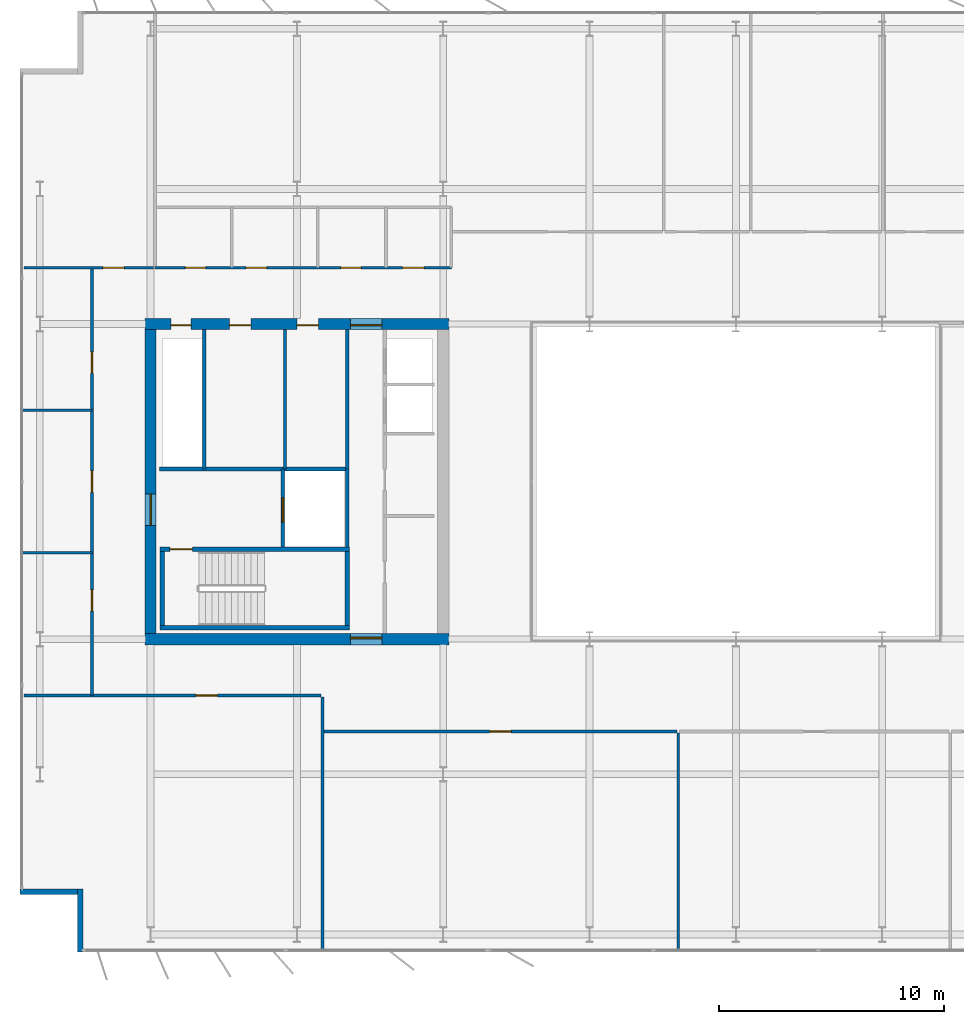
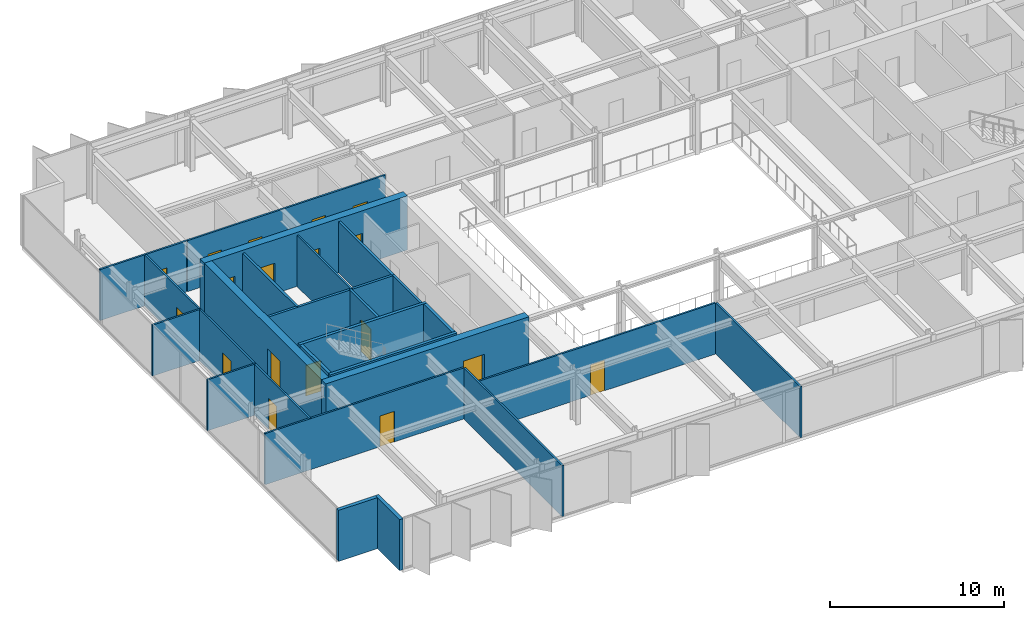
# One storey, part 12 of 19: 26 walls, 18 doors, 18 openings.
"""IFC4 building model written with IfcOpenShell, lengths in metres."""

from ifc_helpers import new_model, si_unit, direction, frame, frame_2d, origin, place, context, subcontext, project, spatial, rectangle, extrude, material, layer, layer_set, type_object, element, fill, save


model = new_model("IFC4")

# Units and contexts
model_context = context("Model", 3, precision=1e-05, world=origin(), true_north=direction((0.0, 1.0)))
body_context = subcontext(model_context, "Body", "Model", "MODEL_VIEW")
ifc_project = project(units=[si_unit("LENGTHUNIT", "METRE"), si_unit("AREAUNIT", "SQUARE_METRE"), si_unit("VOLUMEUNIT", "CUBIC_METRE"), si_unit("PLANEANGLEUNIT", "RADIAN"), si_unit("MASSUNIT", "GRAM", prefix="KILO")], contexts=[model_context])

# Site, building, storey
site_placement = place(None, origin())
site = spatial("IfcSite", under=ifc_project, at=site_placement, CompositionType="ELEMENT")
building_placement = place(site_placement, origin())
building = spatial("IfcBuilding", under=site, at=building_placement, Name="Putna Gate Headquarters", CompositionType="ELEMENT")
storey_placement = place(building_placement, frame((0.0, 0.0, 263.199951171875)))
storey = spatial("IfcBuildingStorey", under=building, at=storey_placement, Name="L66", CompositionType="ELEMENT", Elevation=263.199951171875)

# Wall, opening, door
ifc_material_1 = material(Name="Concrete C50/60", Category="concrete")
ifc_layer_1 = layer(ifc_material_1, 0.5)
ifc_layer_set_1 = layer_set([ifc_layer_1], Name="Concrete C50/60")
wall_type_1 = type_object("IfcWallType", Name="WALL-CORE-500", PredefinedType="SHEAR", material=ifc_layer_set_1)
wall_1_placement = place(storey_placement, frame((12.75, 19.0, 0.0), z_axis=(0.0, 0.0, 1.0), x_axis=(1.0, 0.0, 0.0)))
wall_1 = element("IfcWall", 1, at=wall_1_placement, inside=storey, type_object=wall_type_1, Name="L66 WC Split Core Shear Wall S", PredefinedType="SHEAR", context=body_context, shape_type="SweptSolid", body=[
    extrude(rectangle(XDim=13.5, YDim=0.5, at=frame_2d((6.75, 0.0))), origin(), (0.0, 0.0, 1.0), 3.800048828125),
])
opening_1_placement = place(wall_1_placement, frame((9.1298828125, 0.0, 0.0)))
opening_1 = element("IfcOpeningElement", 2, at=opening_1_placement, cuts=wall_1, Name="Opening FDD-140", PredefinedType="OPENING", context=body_context, shape_type="SweptSolid", body=[
    extrude(rectangle(XDim=1.39990234375, YDim=2.199951171875, at=frame_2d((0.699951171875, 1.10009765625))), frame((0.0, 0.260009765625, 0.0), z_axis=(0.0, -1.0, 0.0), x_axis=(1.0, 0.0, 0.0)), (0.0, 0.0, 1.0), 0.52001953125),
])
ifc_material_2 = material(Name="Double steel fire door", Category="steel")
door_type_1 = type_object("IfcDoorType", Name="DOOR-FIRE-DBL-1400", OperationType="DOUBLE_DOOR_SINGLE_SWING", PredefinedType="DOOR", material=ifc_material_2)
door_1_placement = place(opening_1_placement, origin())
door_1 = element("IfcDoor", 3, at=door_1_placement, inside=storey, type_object=door_type_1, Name="L66 West Lift Lobby South Door", OperationType="DOUBLE_DOOR_SINGLE_SWING", OverallHeight=2.199951171875, OverallWidth=1.39990234375, PredefinedType="DOOR", context=body_context, shape_type="SweptSolid", body=[
    extrude(rectangle(XDim=1.39990234375, YDim=2.199951171875, at=frame_2d((0.699951171875, 1.10009765625))), frame((0.0, 0.0751953125, 0.0), z_axis=(0.0, -1.0, 0.0), x_axis=(1.0, 0.0, 0.0)), (0.0, 0.0, 1.0), 0.050048828125),
])
fill(opening_1, door_1)

# Wall, openings, doors
wall_2_placement = place(storey_placement, frame((12.75, 33.0, 0.0), z_axis=(0.0, 0.0, 1.0), x_axis=(1.0, 0.0, 0.0)))
wall_2 = element("IfcWall", 4, at=wall_2_placement, inside=storey, type_object=wall_type_1, Name="L66 WC Split Core Shear Wall N", PredefinedType="SHEAR", context=body_context, shape_type="SweptSolid", body=[
    extrude(rectangle(XDim=13.5, YDim=0.5, at=frame_2d((6.75, 0.0))), origin(), (0.0, 0.0, 1.0), 3.800048828125),
])
opening_2_placement = place(wall_2_placement, frame((1.14990234375, 0.0, 0.0)))
opening_2 = element("IfcOpeningElement", 5, at=opening_2_placement, cuts=wall_2, Name="Opening RD-90", PredefinedType="OPENING", context=body_context, shape_type="SweptSolid", body=[
    extrude(rectangle(XDim=0.89990234375, YDim=2.14990234375, at=frame_2d((0.449951171875, 1.074951171875))), frame((0.0, 0.260009765625, 0.0), z_axis=(0.0, -1.0, 0.0), x_axis=(1.0, 0.0, 0.0)), (0.0, 0.0, 1.0), 0.52001953125),
])
opening_3_placement = place(wall_2_placement, frame((3.75, 0.0, 0.0)))
opening_3 = element("IfcOpeningElement", 6, at=opening_3_placement, cuts=wall_2, Name="Opening IDS-95", PredefinedType="OPENING", context=body_context, shape_type="SweptSolid", body=[
    extrude(rectangle(XDim=0.949951171875, YDim=2.14990234375, at=frame_2d((0.47509765625, 1.074951171875))), frame((0.0, 0.260009765625, 0.0), z_axis=(0.0, -1.0, 0.0), x_axis=(1.0, 0.0, 0.0)), (0.0, 0.0, 1.0), 0.52001953125),
])
opening_4_placement = place(wall_2_placement, frame((6.75, 0.0, 0.0)))
opening_4 = element("IfcOpeningElement", 7, at=opening_4_placement, cuts=wall_2, Name="Opening IDS-95", PredefinedType="OPENING", context=body_context, shape_type="SweptSolid", body=[
    extrude(rectangle(XDim=0.949951171875, YDim=2.14990234375, at=frame_2d((0.47509765625, 1.074951171875))), frame((0.0, 0.260009765625, 0.0), z_axis=(0.0, -1.0, 0.0), x_axis=(1.0, 0.0, 0.0)), (0.0, 0.0, 1.0), 0.52001953125),
])
opening_5_placement = place(wall_2_placement, frame((9.1298828125, 0.0, 0.0)))
opening_5 = element("IfcOpeningElement", 8, at=opening_5_placement, cuts=wall_2, Name="Opening FDD-140", PredefinedType="OPENING", context=body_context, shape_type="SweptSolid", body=[
    extrude(rectangle(XDim=1.39990234375, YDim=2.199951171875, at=frame_2d((0.699951171875, 1.10009765625))), frame((0.0, 0.260009765625, 0.0), z_axis=(0.0, -1.0, 0.0), x_axis=(1.0, 0.0, 0.0)), (0.0, 0.0, 1.0), 0.52001953125),
])
door_2_placement = place(opening_5_placement, origin())
door_2 = element("IfcDoor", 9, at=door_2_placement, inside=storey, type_object=door_type_1, Name="L66 West Lift Lobby North Door", OperationType="DOUBLE_DOOR_SINGLE_SWING", OverallHeight=2.199951171875, OverallWidth=1.39990234375, PredefinedType="DOOR", context=body_context, shape_type="SweptSolid", body=[
    extrude(rectangle(XDim=1.39990234375, YDim=2.199951171875, at=frame_2d((0.699951171875, 1.10009765625))), frame((0.0, -0.02490234375, 0.0), z_axis=(0.0, -1.0, 0.0), x_axis=(1.0, 0.0, 0.0)), (0.0, 0.0, 1.0), 0.050048828125),
])
fill(opening_5, door_2)
ifc_material_3 = material(Name="Fire-rated service timber door", Category="wood")
door_type_2 = type_object("IfcDoorType", Name="DOOR-INT-950", OperationType="NOTDEFINED", PredefinedType="DOOR", material=ifc_material_3)
door_3_placement = place(opening_3_placement, origin())
door_3 = element("IfcDoor", 10, at=door_3_placement, inside=storey, type_object=door_type_2, Name="L66 Cleaner Store Door", OperationType="SINGLE_SWING_LEFT", OverallHeight=2.14990234375, OverallWidth=0.949951171875, PredefinedType="DOOR", context=body_context, shape_type="SweptSolid", body=[
    extrude(rectangle(XDim=0.949951171875, YDim=2.14990234375, at=frame_2d((0.47509765625, 1.074951171875))), frame((0.0, -0.02490234375, 0.0), z_axis=(0.0, -1.0, 0.0), x_axis=(1.0, 0.0, 0.0)), (0.0, 0.0, 1.0), 0.050048828125),
])
fill(opening_3, door_3)
door_4_placement = place(opening_4_placement, origin())
door_4 = element("IfcDoor", 11, at=door_4_placement, inside=storey, type_object=door_type_2, Name="L66 Comms Plant Door", OperationType="SINGLE_SWING_RIGHT", OverallHeight=2.14990234375, OverallWidth=0.949951171875, PredefinedType="DOOR", context=body_context, shape_type="SweptSolid", body=[
    extrude(rectangle(XDim=0.949951171875, YDim=2.14990234375, at=frame_2d((0.47509765625, 1.074951171875))), frame((0.0, -0.02490234375, 0.0), z_axis=(0.0, -1.0, 0.0), x_axis=(1.0, 0.0, 0.0)), (0.0, 0.0, 1.0), 0.050048828125),
])
fill(opening_4, door_4)
ifc_material_4 = material(Name="Steel riser access fire door", Category="steel")
door_type_3 = type_object("IfcDoorType", Name="DOOR-RISER-900", OperationType="NOTDEFINED", PredefinedType="DOOR", material=ifc_material_4)
door_5_placement = place(opening_2_placement, origin())
door_5 = element("IfcDoor", 12, at=door_5_placement, inside=storey, type_object=door_type_3, Name="L66 West Riser Access Door", OperationType="SINGLE_SWING_RIGHT", OverallHeight=2.14990234375, OverallWidth=0.89990234375, PredefinedType="DOOR", context=body_context, shape_type="SweptSolid", body=[
    extrude(rectangle(XDim=0.89990234375, YDim=2.14990234375, at=frame_2d((0.449951171875, 1.074951171875))), frame((0.0, -0.02490234375, 0.0), z_axis=(0.0, -1.0, 0.0), x_axis=(1.0, 0.0, 0.0)), (0.0, 0.0, 1.0), 0.050048828125),
])
fill(opening_2, door_5)

# Wall, opening, door
wall_3_placement = place(storey_placement, frame((13.0, 19.25, 0.0), z_axis=(0.0, 0.0, 1.0), x_axis=(0.0, 1.0, 0.0)))
wall_3 = element("IfcWall", 13, at=wall_3_placement, inside=storey, type_object=wall_type_1, Name="L66 WC Split Core Shear Wall W", PredefinedType="SHEAR", context=body_context, shape_type="SweptSolid", body=[
    extrude(rectangle(XDim=13.5, YDim=0.5, at=frame_2d((6.75, 0.0))), origin(), (0.0, 0.0, 1.0), 3.800048828125),
])
opening_6_placement = place(wall_3_placement, frame((4.800048828125, 0.0, 0.0)))
opening_6 = element("IfcOpeningElement", 14, at=opening_6_placement, cuts=wall_3, Name="Opening FDD-140", PredefinedType="OPENING", context=body_context, shape_type="SweptSolid", body=[
    extrude(rectangle(XDim=1.39990234375, YDim=2.199951171875, at=frame_2d((0.699951171875, 1.10009765625))), frame((0.0, 0.260009765625, 0.0), z_axis=(0.0, -1.0, 0.0), x_axis=(1.0, 0.0, 0.0)), (0.0, 0.0, 1.0), 0.52001953125),
])
door_6_placement = place(opening_6_placement, origin())
door_6 = element("IfcDoor", 15, at=door_6_placement, inside=storey, type_object=door_type_1, Name="L66 West Firefighting Lobby Door", OperationType="DOUBLE_DOOR_SINGLE_SWING", OverallHeight=2.199951171875, OverallWidth=1.39990234375, PredefinedType="DOOR", context=body_context, shape_type="SweptSolid", body=[
    extrude(rectangle(XDim=1.39990234375, YDim=2.199951171875, at=frame_2d((0.699951171875, 1.10009765625))), frame((0.0, 0.02490234375, 0.0), z_axis=(0.0, -1.0, 0.0), x_axis=(1.0, 0.0, 0.0)), (0.0, 0.0, 1.0), 0.050048828125),
])
fill(opening_6, door_6)

# Walls
ifc_material_5 = material(Name="Precast concrete C40/50", Category="concrete")
ifc_layer_2 = layer(ifc_material_5, 0.239990234375)
ifc_layer_set_2 = layer_set([ifc_layer_2], Name="Precast concrete C40/50")
wall_type_2 = type_object("IfcWallType", Name="WALL-EXT-TERR-240", PredefinedType="STANDARD", material=ifc_layer_set_2)
wall_4_placement = place(storey_placement, frame((9.8798828125, 5.10009765625, 0.0), z_axis=(0.0, 0.0, 1.0), x_axis=(0.0, 1.0, 0.0)))
element("IfcWall", 16, at=wall_4_placement, inside=storey, type_object=wall_type_2, Name="L66 Corner Notch Return Wall SW-V", PredefinedType="STANDARD", context=body_context, shape_type="SweptSolid", body=[
    extrude(rectangle(XDim=2.7998046875, YDim=0.239990234375, at=frame_2d((1.39990234375, 0.0))), origin(), (0.0, 0.0, 1.0), 3.588134765625),
])
wall_5_placement = place(storey_placement, frame((10.0, 7.780029296875, 0.0), z_axis=(0.0, 0.0, 1.0), x_axis=(-1.0, 0.0, 0.0)))
element("IfcWall", 17, at=wall_5_placement, inside=storey, type_object=wall_type_2, Name="L66 Corner Notch Return Wall SW-H", PredefinedType="STANDARD", context=body_context, shape_type="SweptSolid", body=[
    extrude(rectangle(XDim=2.800048828125, YDim=0.239990234375, at=frame_2d((1.39990234375, 0.0))), origin(), (0.0, 0.0, 1.0), 3.588134765625),
])
ifc_material_6 = material(Name="Acoustic gypsum board on metal stud")
ifc_layer_3 = layer(ifc_material_6, 0.1201171875)
ifc_layer_set_3 = layer_set([ifc_layer_3], Name="Acoustic gypsum board on metal stud")
wall_type_3 = type_object("IfcWallType", Name="WALL-PART-120", PredefinedType="PARTITIONING", material=ifc_layer_set_3)
wall_6_placement = place(storey_placement, frame((20.63671875, 5.1201171875, 0.0), z_axis=(0.0, 0.0, 1.0), x_axis=(0.0, 1.0, 0.0)))
element("IfcWall", 18, at=wall_6_placement, inside=storey, type_object=wall_type_3, Name="L66 Interior Wall PART-L66-SB-DIV-01", PredefinedType="PARTITIONING", context=body_context, shape_type="SweptSolid", body=[
    extrude(rectangle(XDim=11.31982421875, YDim=0.1201171875, at=frame_2d((5.659912109375, 0.0))), origin(), (0.0, 0.0, 1.0), 3.588134765625),
])
wall_7_placement = place(storey_placement, frame((36.443115234375, 5.1201171875, 0.0), z_axis=(0.0, 0.0, 1.0), x_axis=(0.0, 1.0, 0.0)))
element("IfcWall", 19, at=wall_7_placement, inside=storey, type_object=wall_type_3, Name="L66 Interior Wall PART-L66-SB-DIV-02", PredefinedType="PARTITIONING", context=body_context, shape_type="SweptSolid", body=[
    extrude(rectangle(XDim=9.719970703125, YDim=0.1201171875, at=frame_2d((4.85986328125, 0.0))), origin(), (0.0, 0.0, 1.0), 3.588134765625),
])
for number, where, z_axis, x_axis, name in (
    (20, (7.219970703125, 22.833251953125, 0.0), (0.0, 0.0, 1.0), (1.0, 0.0, 0.0), "L66 Interior Wall PART-L66-WW-DIV-1"),
    (21, (7.219970703125, 29.166748046875, 0.0), (0.0, 0.0, 1.0), (1.0, 0.0, 0.0), "L66 Interior Wall PART-L66-WW-DIV-2"),
):
    element("IfcWall", number, at=place(storey_placement, frame(where, z_axis=z_axis, x_axis=x_axis)), inside=storey, type_object=wall_type_3, Name=name, PredefinedType="PARTITIONING", context=body_context, shape_type="SweptSolid", body=[
        extrude(rectangle(XDim=3.179931640625, YDim=0.1201171875, at=frame_2d((1.58984375, 0.0))), origin(), (0.0, 0.0, 1.0), 3.588134765625),
    ])
ifc_material_7 = material(Name="Fire-rated gypsum board on metal stud")
ifc_layer_4 = layer(ifc_material_7, 0.1201171875)
ifc_layer_set_4 = layer_set([ifc_layer_4], Name="Fire-rated gypsum board on metal stud")
wall_type_4 = type_object("IfcWallType", Name="WALL-PART-120-RATED", PredefinedType="PARTITIONING", material=ifc_layer_set_4)
wall_8_placement = place(storey_placement, frame((18.969970703125, 26.56005859375, 0.0), z_axis=(0.0, 0.0, 1.0), x_axis=(0.0, 1.0, 0.0)))
element("IfcWall", 22, at=wall_8_placement, inside=storey, type_object=wall_type_4, Name="L66 Interior Wall CWINT-L66-WC-K0-DIV", PredefinedType="PARTITIONING", context=body_context, shape_type="SweptSolid", body=[
    extrude(rectangle(XDim=6.18994140625, YDim=0.1201171875, at=frame_2d((3.094970703125, 0.0))), origin(), (0.0, 0.0, 1.0), 3.588134765625),
])

# Wall, openings, doors
wall_9_placement = place(storey_placement, frame((13.199951171875, 35.5, 0.0), z_axis=(0.0, 0.0, 1.0), x_axis=(1.0, 0.0, 0.0)))
wall_9 = element("IfcWall", 23, at=wall_9_placement, inside=storey, type_object=wall_type_4, Name="L66 Interior Wall PART-L66-SAN-CW", PredefinedType="PARTITIONING", context=body_context, shape_type="SweptSolid", body=[
    extrude(rectangle(XDim=13.16015625, YDim=0.1201171875, at=frame_2d((6.580078125, 0.0))), origin(), (0.0, 0.0, 1.0), 3.588134765625),
])
opening_7_placement = place(wall_9_placement, frame((1.35009765625, 0.0, 0.0)))
opening_7 = element("IfcOpeningElement", 24, at=opening_7_placement, cuts=wall_9, Name="Opening FD-90", PredefinedType="OPENING", context=body_context, shape_type="SweptSolid", body=[
    extrude(rectangle(XDim=0.89990234375, YDim=2.14990234375, at=frame_2d((0.449951171875, 1.074951171875))), frame((0.0, 0.070068359375, 0.0), z_axis=(0.0, -1.0, 0.0), x_axis=(1.0, 0.0, 0.0)), (0.0, 0.0, 1.0), 0.14013671875),
])
opening_8_placement = place(wall_9_placement, frame((4.050048828125, 0.0, 0.0)))
opening_8 = element("IfcOpeningElement", 25, at=opening_8_placement, cuts=wall_9, Name="Opening FD-90", PredefinedType="OPENING", context=body_context, shape_type="SweptSolid", body=[
    extrude(rectangle(XDim=0.89990234375, YDim=2.14990234375, at=frame_2d((0.449951171875, 1.074951171875))), frame((0.0, 0.070068359375, 0.0), z_axis=(0.0, -1.0, 0.0), x_axis=(1.0, 0.0, 0.0)), (0.0, 0.0, 1.0), 0.14013671875),
])
opening_9_placement = place(wall_9_placement, frame((8.25, 0.0, 0.0)))
opening_9 = element("IfcOpeningElement", 26, at=opening_9_placement, cuts=wall_9, Name="Opening FD-90", PredefinedType="OPENING", context=body_context, shape_type="SweptSolid", body=[
    extrude(rectangle(XDim=0.89990234375, YDim=2.14990234375, at=frame_2d((0.449951171875, 1.074951171875))), frame((0.0, 0.070068359375, 0.0), z_axis=(0.0, -1.0, 0.0), x_axis=(1.0, 0.0, 0.0)), (0.0, 0.0, 1.0), 0.14013671875),
])
opening_10_placement = place(wall_9_placement, frame((11.0, 0.0, 0.0)))
opening_10 = element("IfcOpeningElement", 27, at=opening_10_placement, cuts=wall_9, Name="Opening FD-95", PredefinedType="OPENING", context=body_context, shape_type="SweptSolid", body=[
    extrude(rectangle(XDim=0.949951171875, YDim=2.14990234375, at=frame_2d((0.47509765625, 1.074951171875))), frame((0.0, 0.070068359375, 0.0), z_axis=(0.0, -1.0, 0.0), x_axis=(1.0, 0.0, 0.0)), (0.0, 0.0, 1.0), 0.14013671875),
])
ifc_material_8 = material(Name="Acoustic washroom fire door")
door_type_4 = type_object("IfcDoorType", Name="DOOR-FIRE-900", OperationType="NOTDEFINED", PredefinedType="DOOR", material=ifc_material_8)
door_7_placement = place(opening_7_placement, origin())
door_7 = element("IfcDoor", 28, at=door_7_placement, inside=storey, type_object=door_type_4, Name="L66 Washroom Male Door", OperationType="SINGLE_SWING_RIGHT", OverallHeight=2.14990234375, OverallWidth=0.89990234375, PredefinedType="DOOR", context=body_context, shape_type="SweptSolid", body=[
    extrude(rectangle(XDim=0.89990234375, YDim=2.14990234375, at=frame_2d((0.449951171875, 1.074951171875))), frame((0.0, 0.02490234375, 0.0), z_axis=(0.0, -1.0, 0.0), x_axis=(1.0, 0.0, 0.0)), (0.0, 0.0, 1.0), 0.050048828125),
])
fill(opening_7, door_7)
door_8_placement = place(opening_8_placement, origin())
door_8 = element("IfcDoor", 29, at=door_8_placement, inside=storey, type_object=door_type_4, Name="L66 Washroom Female Door", OperationType="SINGLE_SWING_LEFT", OverallHeight=2.14990234375, OverallWidth=0.89990234375, PredefinedType="DOOR", context=body_context, shape_type="SweptSolid", body=[
    extrude(rectangle(XDim=0.89990234375, YDim=2.14990234375, at=frame_2d((0.449951171875, 1.074951171875))), frame((0.0, 0.02490234375, 0.0), z_axis=(0.0, -1.0, 0.0), x_axis=(1.0, 0.0, 0.0)), (0.0, 0.0, 1.0), 0.050048828125),
])
fill(opening_8, door_8)
door_9_placement = place(opening_9_placement, origin())
door_9 = element("IfcDoor", 30, at=door_9_placement, inside=storey, type_object=door_type_4, Name="L66 Accessible WC Door", OperationType="SINGLE_SWING_RIGHT", OverallHeight=2.14990234375, OverallWidth=0.89990234375, PredefinedType="DOOR", context=body_context, shape_type="SweptSolid", body=[
    extrude(rectangle(XDim=0.89990234375, YDim=2.14990234375, at=frame_2d((0.449951171875, 1.074951171875))), frame((0.0, 0.02490234375, 0.0), z_axis=(0.0, -1.0, 0.0), x_axis=(1.0, 0.0, 0.0)), (0.0, 0.0, 1.0), 0.050048828125),
])
fill(opening_9, door_9)
ifc_material_9 = material(Name="Acoustic timber fire door", Category="wood")
door_type_5 = type_object("IfcDoorType", Name="DOOR-FIRE-950", OperationType="NOTDEFINED", PredefinedType="DOOR", material=ifc_material_9)
door_10_placement = place(opening_10_placement, origin())
door_10 = element("IfcDoor", 31, at=door_10_placement, inside=storey, type_object=door_type_5, Name="L66 Staff Pantry and Tea Point Door", OperationType="SINGLE_SWING_LEFT", OverallHeight=2.14990234375, OverallWidth=0.949951171875, PredefinedType="DOOR", context=body_context, shape_type="SweptSolid", body=[
    extrude(rectangle(XDim=0.949951171875, YDim=2.14990234375, at=frame_2d((0.47509765625, 1.074951171875))), frame((0.0, 0.02490234375, 0.0), z_axis=(0.0, -1.0, 0.0), x_axis=(1.0, 0.0, 0.0)), (0.0, 0.0, 1.0), 0.050048828125),
])
fill(opening_10, door_10)

# Wall, opening, door
wall_10_placement = place(storey_placement, frame((7.3798828125, 35.5, 0.0), z_axis=(0.0, 0.0, 1.0), x_axis=(1.0, 0.0, 0.0)))
wall_10 = element("IfcWall", 32, at=wall_10_placement, inside=storey, type_object=wall_type_4, Name="L66 Interior Wall PART-L66-NB-CW-01", PredefinedType="PARTITIONING", context=body_context, shape_type="SweptSolid", body=[
    extrude(rectangle(XDim=5.760009765625, YDim=0.1201171875, at=frame_2d((2.8798828125, 0.0))), origin(), (0.0, 0.0, 1.0), 3.588134765625),
])
opening_11_placement = place(wall_10_placement, frame((3.5, 0.0, 0.0)))
opening_11 = element("IfcOpeningElement", 33, at=opening_11_placement, cuts=wall_10, Name="Opening FD-95", PredefinedType="OPENING", context=body_context, shape_type="SweptSolid", body=[
    extrude(rectangle(XDim=0.949951171875, YDim=2.14990234375, at=frame_2d((0.47509765625, 1.074951171875))), frame((0.0, 0.070068359375, 0.0), z_axis=(0.0, -1.0, 0.0), x_axis=(1.0, 0.0, 0.0)), (0.0, 0.0, 1.0), 0.14013671875),
])
door_11_placement = place(opening_11_placement, origin())
door_11 = element("IfcDoor", 34, at=door_11_placement, inside=storey, type_object=door_type_5, Name="L66 Collaborative Breakout Lounge 1 Door", OperationType="SINGLE_SWING_RIGHT", OverallHeight=2.14990234375, OverallWidth=0.949951171875, PredefinedType="DOOR", context=body_context, shape_type="SweptSolid", body=[
    extrude(rectangle(XDim=0.949951171875, YDim=2.14990234375, at=frame_2d((0.47509765625, 1.074951171875))), frame((0.0, 0.02490234375, 0.0), z_axis=(0.0, -1.0, 0.0), x_axis=(1.0, 0.0, 0.0)), (0.0, 0.0, 1.0), 0.050048828125),
])
fill(opening_11, door_11)

wall_11_placement = place(storey_placement, frame((7.3798828125, 16.5, 0.0), z_axis=(0.0, 0.0, 1.0), x_axis=(1.0, 0.0, 0.0)))
wall_11 = element("IfcWall", 35, at=wall_11_placement, inside=storey, type_object=wall_type_4, Name="L66 Interior Wall PART-L66-SB-CW-01", PredefinedType="PARTITIONING", context=body_context, shape_type="SweptSolid", body=[
    extrude(rectangle(XDim=13.19677734375, YDim=0.1201171875, at=frame_2d((6.598388671875, 0.0))), origin(), (0.0, 0.0, 1.0), 3.588134765625),
])
opening_12_placement = place(wall_11_placement, frame((7.63330078125, 0.0, 0.0)))
opening_12 = element("IfcOpeningElement", 36, at=opening_12_placement, cuts=wall_11, Name="Opening FD-95", PredefinedType="OPENING", context=body_context, shape_type="SweptSolid", body=[
    extrude(rectangle(XDim=0.949951171875, YDim=2.14990234375, at=frame_2d((0.47509765625, 1.074951171875))), frame((0.0, 0.070068359375, 0.0), z_axis=(0.0, -1.0, 0.0), x_axis=(1.0, 0.0, 0.0)), (0.0, 0.0, 1.0), 0.14013671875),
])
door_12_placement = place(opening_12_placement, origin())
door_12 = element("IfcDoor", 37, at=door_12_placement, inside=storey, type_object=door_type_5, Name="L66 Collaborative Breakout Lounge 3 Door", OperationType="SINGLE_SWING_LEFT", OverallHeight=2.14990234375, OverallWidth=0.949951171875, PredefinedType="DOOR", context=body_context, shape_type="SweptSolid", body=[
    extrude(rectangle(XDim=0.949951171875, YDim=2.14990234375, at=frame_2d((0.47509765625, 1.074951171875))), frame((0.0, 0.02490234375, 0.0), z_axis=(0.0, -1.0, 0.0), x_axis=(1.0, 0.0, 0.0)), (0.0, 0.0, 1.0), 0.050048828125),
])
fill(opening_12, door_12)

wall_12_placement = place(storey_placement, frame((20.69677734375, 14.89990234375, 0.0), z_axis=(0.0, 0.0, 1.0), x_axis=(1.0, 0.0, 0.0)))
wall_12 = element("IfcWall", 38, at=wall_12_placement, inside=storey, type_object=wall_type_4, Name="L66 Interior Wall PART-L66-SB-CW-02", PredefinedType="PARTITIONING", context=body_context, shape_type="SweptSolid", body=[
    extrude(rectangle(XDim=15.6865234375, YDim=0.1201171875, at=frame_2d((7.84326171875, 0.0))), origin(), (0.0, 0.0, 1.0), 3.588134765625),
])
opening_13_placement = place(wall_12_placement, frame((7.3681640625, 0.0, 0.0)))
opening_13 = element("IfcOpeningElement", 39, at=opening_13_placement, cuts=wall_12, Name="Opening FD-95", PredefinedType="OPENING", context=body_context, shape_type="SweptSolid", body=[
    extrude(rectangle(XDim=0.949951171875, YDim=2.14990234375, at=frame_2d((0.47509765625, 1.074951171875))), frame((0.0, 0.070068359375, 0.0), z_axis=(0.0, -1.0, 0.0), x_axis=(1.0, 0.0, 0.0)), (0.0, 0.0, 1.0), 0.14013671875),
])
door_13_placement = place(opening_13_placement, origin())
door_13 = element("IfcDoor", 40, at=door_13_placement, inside=storey, type_object=door_type_5, Name="L66 Cellular Office 6 Door", OperationType="SINGLE_SWING_RIGHT", OverallHeight=2.14990234375, OverallWidth=0.949951171875, PredefinedType="DOOR", context=body_context, shape_type="SweptSolid", body=[
    extrude(rectangle(XDim=0.949951171875, YDim=2.14990234375, at=frame_2d((0.47509765625, 1.074951171875))), frame((0.0, 0.02490234375, 0.0), z_axis=(0.0, -1.0, 0.0), x_axis=(1.0, 0.0, 0.0)), (0.0, 0.0, 1.0), 0.050048828125),
])
fill(opening_13, door_13)

wall_13_placement = place(storey_placement, frame((10.39990234375, 16.5, 0.0), z_axis=(0.0, 0.0, 1.0), x_axis=(0.0, 1.0, 0.0)))
wall_13 = element("IfcWall", 41, at=wall_13_placement, inside=storey, type_object=wall_type_4, Name="L66 Interior Wall PART-L66-WW-CW-1", PredefinedType="PARTITIONING", context=body_context, shape_type="SweptSolid", body=[
    extrude(rectangle(XDim=6.333251953125, YDim=0.1201171875, at=frame_2d((3.16650390625, 0.0))), origin(), (0.0, 0.0, 1.0), 3.588134765625),
])
opening_14_placement = place(wall_13_placement, frame((3.74169921875, 0.0, 0.0)))
opening_14 = element("IfcOpeningElement", 42, at=opening_14_placement, cuts=wall_13, Name="Opening FD-95", PredefinedType="OPENING", context=body_context, shape_type="SweptSolid", body=[
    extrude(rectangle(XDim=0.949951171875, YDim=2.14990234375, at=frame_2d((0.47509765625, 1.074951171875))), frame((0.0, 0.070068359375, 0.0), z_axis=(0.0, -1.0, 0.0), x_axis=(1.0, 0.0, 0.0)), (0.0, 0.0, 1.0), 0.14013671875),
])
door_14_placement = place(opening_14_placement, origin())
door_14 = element("IfcDoor", 43, at=door_14_placement, inside=storey, type_object=door_type_5, Name="L66 West Executive Office 1 Door", OperationType="SINGLE_SWING_RIGHT", OverallHeight=2.14990234375, OverallWidth=0.949951171875, PredefinedType="DOOR", context=body_context, shape_type="SweptSolid", body=[
    extrude(rectangle(XDim=0.949951171875, YDim=2.14990234375, at=frame_2d((0.47509765625, 1.074951171875))), frame((0.0, 0.02490234375, 0.0), z_axis=(0.0, -1.0, 0.0), x_axis=(1.0, 0.0, 0.0)), (0.0, 0.0, 1.0), 0.050048828125),
])
fill(opening_14, door_14)

wall_14_placement = place(storey_placement, frame((10.39990234375, 22.833251953125, 0.0), z_axis=(0.0, 0.0, 1.0), x_axis=(0.0, 1.0, 0.0)))
wall_14 = element("IfcWall", 44, at=wall_14_placement, inside=storey, type_object=wall_type_4, Name="L66 Interior Wall PART-L66-WW-CW-2", PredefinedType="PARTITIONING", context=body_context, shape_type="SweptSolid", body=[
    extrude(rectangle(XDim=6.33349609375, YDim=0.1201171875, at=frame_2d((3.166748046875, 0.0))), origin(), (0.0, 0.0, 1.0), 3.588134765625),
])
opening_15_placement = place(wall_14_placement, frame((2.691650390625, 0.0, 0.0)))
opening_15 = element("IfcOpeningElement", 45, at=opening_15_placement, cuts=wall_14, Name="Opening FD-95", PredefinedType="OPENING", context=body_context, shape_type="SweptSolid", body=[
    extrude(rectangle(XDim=0.949951171875, YDim=2.14990234375, at=frame_2d((0.47509765625, 1.074951171875))), frame((0.0, 0.070068359375, 0.0), z_axis=(0.0, -1.0, 0.0), x_axis=(1.0, 0.0, 0.0)), (0.0, 0.0, 1.0), 0.14013671875),
])
door_15_placement = place(opening_15_placement, origin())
door_15 = element("IfcDoor", 46, at=door_15_placement, inside=storey, type_object=door_type_5, Name="L66 West Executive Office 2 Door", OperationType="SINGLE_SWING_LEFT", OverallHeight=2.14990234375, OverallWidth=0.949951171875, PredefinedType="DOOR", context=body_context, shape_type="SweptSolid", body=[
    extrude(rectangle(XDim=0.949951171875, YDim=2.14990234375, at=frame_2d((0.47509765625, 1.074951171875))), frame((0.0, 0.02490234375, 0.0), z_axis=(0.0, -1.0, 0.0), x_axis=(1.0, 0.0, 0.0)), (0.0, 0.0, 1.0), 0.050048828125),
])
fill(opening_15, door_15)

wall_15_placement = place(storey_placement, frame((10.39990234375, 29.166748046875, 0.0), z_axis=(0.0, 0.0, 1.0), x_axis=(0.0, 1.0, 0.0)))
wall_15 = element("IfcWall", 47, at=wall_15_placement, inside=storey, type_object=wall_type_4, Name="L66 Interior Wall PART-L66-WW-CW-3", PredefinedType="PARTITIONING", context=body_context, shape_type="SweptSolid", body=[
    extrude(rectangle(XDim=6.333251953125, YDim=0.1201171875, at=frame_2d((3.16650390625, 0.0))), origin(), (0.0, 0.0, 1.0), 3.588134765625),
])
opening_16_placement = place(wall_15_placement, frame((1.6416015625, 0.0, 0.0)))
opening_16 = element("IfcOpeningElement", 48, at=opening_16_placement, cuts=wall_15, Name="Opening FD-95", PredefinedType="OPENING", context=body_context, shape_type="SweptSolid", body=[
    extrude(rectangle(XDim=0.949951171875, YDim=2.14990234375, at=frame_2d((0.47509765625, 1.074951171875))), frame((0.0, 0.070068359375, 0.0), z_axis=(0.0, -1.0, 0.0), x_axis=(1.0, 0.0, 0.0)), (0.0, 0.0, 1.0), 0.14013671875),
])
door_16_placement = place(opening_16_placement, origin())
door_16 = element("IfcDoor", 49, at=door_16_placement, inside=storey, type_object=door_type_5, Name="L66 West Executive Office 3 Door", OperationType="SINGLE_SWING_RIGHT", OverallHeight=2.14990234375, OverallWidth=0.949951171875, PredefinedType="DOOR", context=body_context, shape_type="SweptSolid", body=[
    extrude(rectangle(XDim=0.949951171875, YDim=2.14990234375, at=frame_2d((0.47509765625, 1.074951171875))), frame((0.0, 0.02490234375, 0.0), z_axis=(0.0, -1.0, 0.0), x_axis=(1.0, 0.0, 0.0)), (0.0, 0.0, 1.0), 0.050048828125),
])
fill(opening_16, door_16)

# Wall
ifc_material_10 = material(Name="Concrete C40/50", Category="concrete")
ifc_layer_5 = layer(ifc_material_10, 0.159912109375)
ifc_layer_set_5 = layer_set([ifc_layer_5], Name="Concrete C40/50")
wall_type_5 = type_object("IfcWallType", Name="WALL-SHAFT-160", PredefinedType="STANDARD", material=ifc_layer_set_5)
wall_16_placement = place(storey_placement, frame((21.739990234375, 23.090087890625, 0.0), z_axis=(0.0, 0.0, 1.0), x_axis=(0.0, 1.0, 0.0)))
element("IfcWall", 50, at=wall_16_placement, inside=storey, type_object=wall_type_5, Name="L66 Interior Wall CWINT-L66-WC-FFL-E", PredefinedType="STANDARD", context=body_context, shape_type="SweptSolid", body=[
    extrude(rectangle(XDim=3.469970703125, YDim=0.159912109375, at=frame_2d((1.73486328125, 0.0))), origin(), (0.0, 0.0, 1.0), 3.588134765625),
])

# Wall, opening, door
wall_17_placement = place(storey_placement, frame((18.8798828125, 23.090087890625, 0.0), z_axis=(0.0, 0.0, 1.0), x_axis=(0.0, 1.0, 0.0)))
wall_17 = element("IfcWall", 51, at=wall_17_placement, inside=storey, type_object=wall_type_5, Name="L66 Interior Wall CWINT-L66-WC-LF13-W", PredefinedType="STANDARD", context=body_context, shape_type="SweptSolid", body=[
    extrude(rectangle(XDim=3.469970703125, YDim=0.159912109375, at=frame_2d((1.73486328125, 0.0))), origin(), (0.0, 0.0, 1.0), 3.588134765625),
])
opening_17_placement = place(wall_17_placement, frame((1.10009765625, 0.0, 0.0)))
opening_17 = element("IfcOpeningElement", 52, at=opening_17_placement, cuts=wall_17, Name="Opening LD-1", PredefinedType="OPENING", context=body_context, shape_type="SweptSolid", body=[
    extrude(rectangle(XDim=1.10009765625, YDim=2.199951171875, at=frame_2d((0.550048828125, 1.10009765625))), frame((0.0, 0.08984375, 0.0), z_axis=(0.0, -1.0, 0.0), x_axis=(1.0, 0.0, 0.0)), (0.0, 0.0, 1.0), 0.179931640625),
])
ifc_material_11 = material(Name="Brushed bronze stainless lift landing door")
door_type_6 = type_object("IfcDoorType", Name="DOOR-LIFT-1100", OperationType="DOUBLE_DOOR_SLIDING", PredefinedType="DOOR", material=ifc_material_11)
door_17_placement = place(opening_17_placement, origin())
door_17 = element("IfcDoor", 53, at=door_17_placement, inside=storey, type_object=door_type_6, Name="L66 Lift Landing Door LD-13", OperationType="DOUBLE_DOOR_SLIDING", OverallHeight=2.199951171875, OverallWidth=1.10009765625, PredefinedType="DOOR", context=body_context, shape_type="SweptSolid", body=[
    extrude(rectangle(XDim=1.10009765625, YDim=2.199951171875, at=frame_2d((0.550048828125, 1.10009765625))), frame((0.0, 0.02490234375, 0.0), z_axis=(0.0, -1.0, 0.0), x_axis=(1.0, 0.0, 0.0)), (0.0, 0.0, 1.0), 0.050048828125),
])
fill(opening_17, door_17)

# Walls
wall_18_placement = place(storey_placement, frame((13.39990234375, 26.56005859375, 0.0), z_axis=(0.0, 0.0, 1.0), x_axis=(1.0, 0.0, 0.0)))
element("IfcWall", 54, at=wall_18_placement, inside=storey, type_object=wall_type_5, Name="L66 Interior Wall CWINT-L66-WC-FFL-N", PredefinedType="STANDARD", context=body_context, shape_type="SweptSolid", body=[
    extrude(rectangle(XDim=8.340087890625, YDim=0.159912109375, at=frame_2d((4.169921875, 0.0))), origin(), (0.0, 0.0, 1.0), 3.588134765625),
])
for number, where, z_axis, x_axis, name in (
    (55, (15.3798828125, 26.56005859375, 0.0), (0.0, 0.0, 1.0), (0.0, 1.0, 0.0), "L66 Interior Wall CWINT-L66-WC-RISER-E"),
    (56, (21.739990234375, 26.56005859375, 0.0), (0.0, 0.0, 1.0), (0.0, 1.0, 0.0), "L66 Interior Wall CWINT-L66-WC-LOB-W"),
):
    element("IfcWall", number, at=place(storey_placement, frame(where, z_axis=z_axis, x_axis=x_axis)), inside=storey, type_object=wall_type_5, Name=name, PredefinedType="STANDARD", context=body_context, shape_type="SweptSolid", body=[
        extrude(rectangle(XDim=6.18994140625, YDim=0.159912109375, at=frame_2d((3.094970703125, 0.0))), origin(), (0.0, 0.0, 1.0), 3.588134765625),
    ])
ifc_layer_6 = layer(ifc_material_10, 0.199951171875)
ifc_layer_set_6 = layer_set([ifc_layer_6], Name="Concrete C40/50")
wall_type_6 = type_object("IfcWallType", Name="WALL-SHAFT-RC200", PredefinedType="SHEAR", material=ifc_layer_set_6)
wall_19_placement = place(storey_placement, frame((13.409912109375, 19.510009765625, 0.0), z_axis=(0.0, 0.0, 1.0), x_axis=(1.0, 0.0, 0.0)))
element("IfcWall", 57, at=wall_19_placement, inside=storey, type_object=wall_type_6, Name="L66 Stair ST1 Structural Shaft Wall S", PredefinedType="SHEAR", context=body_context, shape_type="SweptSolid", body=[
    extrude(rectangle(XDim=8.43017578125, YDim=0.199951171875, at=frame_2d((4.215087890625, 0.0))), origin(), (0.0, 0.0, 1.0), 3.800048828125),
])

# Wall, opening, door
wall_20_placement = place(storey_placement, frame((13.409912109375, 22.989990234375, 0.0), z_axis=(0.0, 0.0, 1.0), x_axis=(1.0, 0.0, 0.0)))
wall_20 = element("IfcWall", 58, at=wall_20_placement, inside=storey, type_object=wall_type_6, Name="L66 Stair ST1 Structural Shaft Wall N", PredefinedType="SHEAR", context=body_context, shape_type="SweptSolid", body=[
    extrude(rectangle(XDim=8.43017578125, YDim=0.199951171875, at=frame_2d((4.215087890625, 0.0))), origin(), (0.0, 0.0, 1.0), 3.800048828125),
])
opening_18_placement = place(wall_20_placement, frame((0.449951171875, 0.0, 0.0)))
opening_18 = element("IfcOpeningElement", 59, at=opening_18_placement, cuts=wall_20, Name="Opening FD-100", PredefinedType="OPENING", context=body_context, shape_type="SweptSolid", body=[
    extrude(rectangle(XDim=1.0, YDim=2.14990234375, at=frame_2d((0.5, 1.074951171875))), frame((0.0, 0.10986328125, 0.0), z_axis=(0.0, -1.0, 0.0), x_axis=(1.0, 0.0, 0.0)), (0.0, 0.0, 1.0), 0.219970703125),
])
ifc_material_12 = material(Name="Powder-coated steel fire door", Category="steel")
door_type_7 = type_object("IfcDoorType", Name="DOOR-FIRE-1000", OperationType="NOTDEFINED", PredefinedType="DOOR", material=ifc_material_12)
door_18_placement = place(opening_18_placement, origin())
door_18 = element("IfcDoor", 60, at=door_18_placement, inside=storey, type_object=door_type_7, Name="L66 Stair ST1 Fire Door", OperationType="SINGLE_SWING_LEFT", OverallHeight=2.14990234375, OverallWidth=1.0, PredefinedType="DOOR", context=body_context, shape_type="SweptSolid", body=[
    extrude(rectangle(XDim=1.0, YDim=2.14990234375, at=frame_2d((0.5, 1.074951171875))), frame((0.0, 0.02490234375, 0.0), z_axis=(0.0, -1.0, 0.0), x_axis=(1.0, 0.0, 0.0)), (0.0, 0.0, 1.0), 0.050048828125),
])
fill(opening_18, door_18)

# Walls
for number, where, z_axis, x_axis, name in (
    (61, (13.510009765625, 19.610107421875, 0.0), (0.0, 0.0, 1.0), (0.0, 1.0, 0.0), "L66 Stair ST1 Structural Shaft Wall W"),
    (62, (21.739990234375, 19.610107421875, 0.0), (0.0, 0.0, 1.0), (0.0, 1.0, 0.0), "L66 Stair ST1 Structural Shaft Wall E"),
):
    element("IfcWall", number, at=place(storey_placement, frame(where, z_axis=z_axis, x_axis=x_axis)), inside=storey, type_object=wall_type_6, Name=name, PredefinedType="SHEAR", context=body_context, shape_type="SweptSolid", body=[
        extrude(rectangle(XDim=3.27978515625, YDim=0.199951171875, at=frame_2d((1.639892578125, 0.0))), origin(), (0.0, 0.0, 1.0), 3.800048828125),
    ])

save(model, "model.ifc")
